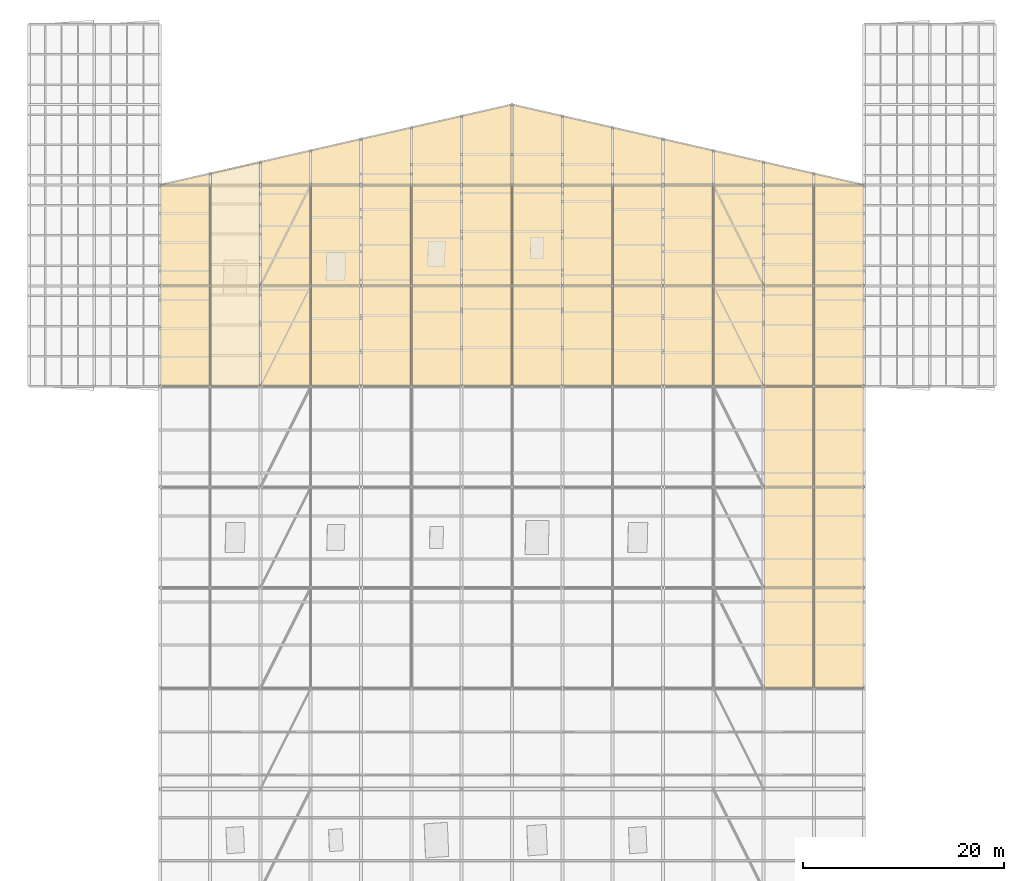
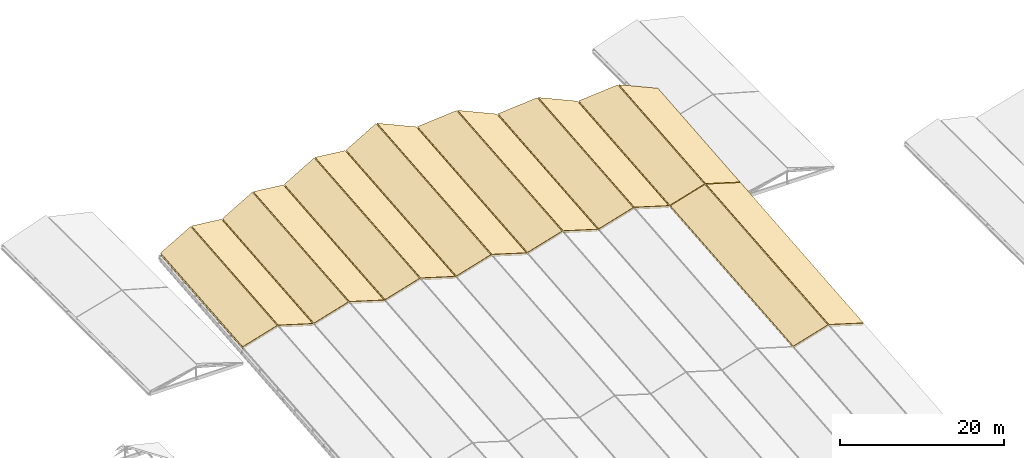
# One storey, part 90 of 90: 32 coverings.
"""IFC4 building model written with IfcOpenShell, lengths in metres."""

from ifc_helpers import new_model, si_unit, direction, frame, origin, place, context, subcontext, project, spatial, polyline, outline, extrude, material, layer, layer_set, type_object, element, save


model = new_model("IFC4")

# Units and contexts
model_context = context("Model", 3, precision=1e-05, world=origin(), true_north=direction((0.0, 1.0)))
body_context = subcontext(model_context, "Body", "Model", "MODEL_VIEW")
ifc_project = project(units=[si_unit("LENGTHUNIT", "METRE"), si_unit("AREAUNIT", "SQUARE_METRE"), si_unit("VOLUMEUNIT", "CUBIC_METRE"), si_unit("PLANEANGLEUNIT", "RADIAN"), si_unit("MASSUNIT", "GRAM", prefix="KILO"), si_unit("THERMODYNAMICTEMPERATUREUNIT", "KELVIN"), si_unit("POWERUNIT", "WATT")], contexts=[model_context])

# Site, building, storey
site_placement = place(None, origin())
site = spatial("IfcSite", under=ifc_project, at=site_placement, CompositionType="ELEMENT")
building_placement = place(site_placement, origin())
building = spatial("IfcBuilding", under=site, at=building_placement, Name="Korenveer Ferry Terminal", CompositionType="ELEMENT")
storey_placement = place(building_placement, frame((0.0, 0.0, 22.199951171875)))
storey = spatial("IfcBuildingStorey", under=building, at=storey_placement, Name="RF", CompositionType="ELEMENT", Elevation=22.199951171875)

# Coverings
ifc_material_1 = material(Name="European larch glulam timber GL28h", Category="wood")
ifc_layer_1 = layer(ifc_material_1, 0.044921875)
ifc_layer_set_1 = layer_set([ifc_layer_1], Name="European larch glulam timber GL28h")
covering_type_1 = type_object("IfcCoveringType", Name="INT-COV-LARCH", PredefinedType="CEILING", material=ifc_layer_set_1)
covering_1_placement = place(storey_placement, frame((53.080078125, 80.050048828125, -5.474853515625), z_axis=(-0.28794962315, -0.086595270815, 0.953722325208), x_axis=(0.957318450817, -1.192698e-06, 0.289035263807)))
element("IfcCovering", 1, at=covering_1_placement, inside=storey, type_object=covering_type_1, Name="Larch glulam acoustic roof soffit 5", PredefinedType="CEILING", context=body_context, shape_type="SweptSolid", body=[
    extrude(outline(polyline([(0.0, 0.0), (5.055604741914166, -2.7755575615628914e-17), (5.608670035582831, 21.15393275953872), (0.5239937300515977, 20.04354841694615), (0.0, 0.0)])), origin(), (0.0, 0.0, -1.0), 0.044921875),
])
covering_2_placement = place(storey_placement, frame((58.080078125, 80.050048828125, -4.013671875), z_axis=(0.287967336383, -0.08659456034, 0.953717041525), x_axis=(0.957313128083, 2.793334e-06, -0.289052892722)))
element("IfcCovering", 2, at=covering_2_placement, inside=storey, type_object=covering_type_1, Name="Larch glulam acoustic roof soffit 6", PredefinedType="CEILING", context=body_context, shape_type="SweptSolid", body=[
    extrude(outline(polyline([(0.0, 0.0), (5.055604739763381, -1.3877787807814457e-17), (4.472621145851938, 22.301043501471415), (-0.5540531668073643, 21.19069963696399), (0.0, 0.0)])), origin(), (0.0, 0.0, -1.0), 0.044921875),
])
covering_3_placement = place(storey_placement, frame((63.080078125, 80.050048828125, -5.474853515625), z_axis=(-0.287969134829, -0.086598908662, 0.953716103672), x_axis=(0.957312554238, -2.966045e-06, 0.289054793232)))
element("IfcCovering", 3, at=covering_3_placement, inside=storey, type_object=covering_type_1, Name="Larch glulam acoustic roof soffit 11", PredefinedType="CEILING", context=body_context, shape_type="SweptSolid", body=[
    extrude(outline(polyline([(0.0, 0.0), (5.055604739428362, -1.3877787807814457e-17), (5.6687183369278795, 23.448458185057188), (0.5839714618819433, 22.337810378501448), (0.0, 0.0)])), origin(), (0.0, 0.0, -1.0), 0.044921875),
])
covering_4_placement = place(storey_placement, frame((68.080078125, 80.050048828125, -4.013671875), z_axis=(0.2879692725, -0.086593677771, 0.953716537062), x_axis=(0.957312552351, 2.966432e-06, -0.28905479948)))
element("IfcCovering", 4, at=covering_4_placement, inside=storey, type_object=covering_type_1, Name="Larch glulam acoustic roof soffit 12", PredefinedType="CEILING", context=body_context, shape_type="SweptSolid", body=[
    extrude(outline(polyline([(0.0, 0.0), (5.055604739427229, -2.7755575615628914e-17), (4.412643409605002, 24.595548687130496), (-0.6140309040608316, 23.48496159877273), (0.0, 0.0)])), origin(), (0.0, 0.0, -1.0), 0.044921875),
])
covering_5_placement = place(storey_placement, frame((73.080078125, 80.050048828125, -5.474853515625), z_axis=(-0.287947778205, -0.086594112845, 0.953722987375), x_axis=(0.957319014502, -1.023166e-06, 0.289033396812)))
element("IfcCovering", 5, at=covering_5_placement, inside=storey, type_object=covering_type_1, Name="Larch glulam acoustic roof soffit 17", PredefinedType="CEILING", context=body_context, shape_type="SweptSolid", body=[
    extrude(outline(polyline([(0.0, 0.0), (5.055604742040791, 0.0), (5.728625508468993, 25.742699906937542), (0.6439492033183587, 24.63207234095464), (0.0, 0.0)])), origin(), (0.0, 0.0, -1.0), 0.044921875),
])
covering_6_placement = place(storey_placement, frame((78.080078125, 80.050048828125, -4.013671875), z_axis=(0.287945508685, -0.08659803982, 0.953723316024), x_axis=(0.957319667465, 8.26839e-07, -0.289031234099)))
element("IfcCovering", 6, at=covering_6_placement, inside=storey, type_object=covering_type_1, Name="Larch glulam acoustic roof soffit 18", PredefinedType="CEILING", context=body_context, shape_type="SweptSolid", body=[
    extrude(outline(polyline([(0.0, 0.0), (5.055604742163251, -1.3877787807814457e-17), (4.352595108662122, 26.88983088797001), (-0.6740086347683508, 25.77946678479939), (0.0, 0.0)])), origin(), (0.0, 0.0, -1.0), 0.044921875),
])
covering_7_placement = place(storey_placement, frame((83.080078125, 80.050048828125, -5.474853515625), z_axis=(-0.287949865458, -0.086593411855, 0.953722420836), x_axis=(0.95731839198, -1.210366e-06, 0.289035458682)))
element("IfcCovering", 7, at=covering_7_placement, inside=storey, type_object=covering_type_1, Name="Larch glulam acoustic roof soffit 23", PredefinedType="CEILING", context=body_context, shape_type="SweptSolid", body=[
    extrude(outline(polyline([(0.0, 0.0), (5.055604741899833, 0.0), (5.788603245143705, 28.03696186886229), (0.7039269395693889, 26.92657752653226), (0.0, 0.0)])), origin(), (0.0, 0.0, -1.0), 0.044921875),
])
covering_8_placement = place(storey_placement, frame((88.080078125, 80.050048828125, -4.013671875), z_axis=(0.287949865458, -0.086593411855, 0.953722420836), x_axis=(0.95731839198, 1.210366e-06, -0.289035458682)))
element("IfcCovering", 8, at=covering_8_placement, inside=storey, type_object=covering_type_1, Name="Larch glulam acoustic roof soffit 24", PredefinedType="CEILING", context=body_context, shape_type="SweptSolid", body=[
    extrude(outline(polyline([(0.0, 0.0), (5.055604741899833, 0.0), (4.351677802330444, 26.926577526532263), (-0.7329985032438717, 28.03696186886229), (0.0, 0.0)])), origin(), (0.0, 0.0, -1.0), 0.044921875),
])
covering_9_placement = place(storey_placement, frame((93.080078125, 80.050048828125, -5.474853515625), z_axis=(-0.287945508685, -0.08659803982, 0.953723316024), x_axis=(0.957319667465, -8.26839e-07, 0.289031234099)))
element("IfcCovering", 9, at=covering_9_placement, inside=storey, type_object=covering_type_1, Name="Larch glulam acoustic roof soffit 29", PredefinedType="CEILING", context=body_context, shape_type="SweptSolid", body=[
    extrude(outline(polyline([(0.0, 0.0), (5.055604742163251, 1.3877787807814457e-17), (5.729613376931602, 25.77946678479939), (0.7030096335011294, 26.88983088797001), (0.0, 0.0)])), origin(), (0.0, 0.0, -1.0), 0.044921875),
])
covering_10_placement = place(storey_placement, frame((98.080078125, 80.050048828125, -4.013671875), z_axis=(0.287947778205, -0.086594112845, 0.953722987375), x_axis=(0.957319014502, 1.023166e-06, -0.289033396812)))
element("IfcCovering", 10, at=covering_10_placement, inside=storey, type_object=covering_type_1, Name="Larch glulam acoustic roof soffit 30", PredefinedType="CEILING", context=body_context, shape_type="SweptSolid", body=[
    extrude(outline(polyline([(0.0, 0.0), (5.055604742040791, 0.0), (4.411655538722432, 24.632072340954643), (-0.6730207664282016, 25.742699906937542), (0.0, 0.0)])), origin(), (0.0, 0.0, -1.0), 0.044921875),
])
covering_11_placement = place(storey_placement, frame((103.080078125, 80.050048828125, -5.474853515625), z_axis=(-0.2879692725, -0.086593677771, 0.953716537062), x_axis=(0.957312552351, -2.966432e-06, 0.28905479948)))
element("IfcCovering", 11, at=covering_11_placement, inside=storey, type_object=covering_type_1, Name="Larch glulam acoustic roof soffit 35", PredefinedType="CEILING", context=body_context, shape_type="SweptSolid", body=[
    extrude(outline(polyline([(0.0, 0.0), (5.055604739427229, 2.7755575615628914e-17), (5.669635643488061, 23.48496159877273), (0.6429613298222283, 24.595548687130496), (0.0, 0.0)])), origin(), (0.0, 0.0, -1.0), 0.044921875),
])
covering_12_placement = place(storey_placement, frame((108.080078125, 80.050048828125, -4.013671875), z_axis=(0.287969134829, -0.086598908662, 0.953716103672), x_axis=(0.957312554238, 2.966045e-06, -0.289054793232)))
element("IfcCovering", 12, at=covering_12_placement, inside=storey, type_object=covering_type_1, Name="Larch glulam acoustic roof soffit 36", PredefinedType="CEILING", context=body_context, shape_type="SweptSolid", body=[
    extrude(outline(polyline([(0.0, 0.0), (5.055604739428362, 1.3877787807814457e-17), (4.4716332775464185, 22.33781037850145), (-0.6131135974995175, 23.44845818505719), (0.0, 0.0)])), origin(), (0.0, 0.0, -1.0), 0.044921875),
])
covering_13_placement = place(storey_placement, frame((113.080078125, 50.050048828125, -8.198974609375), z_axis=(-0.287980534707, -0.086594992647, 0.953713017044), x_axis=(0.957309054357, 0.0, 0.28906638415)))
element("IfcCovering", 13, at=covering_13_placement, inside=storey, type_object=covering_type_1, Name="Larch glulam acoustic roof soffit 39", PredefinedType="CEILING", context=body_context, shape_type="SweptSolid", body=[
    extrude(outline(polyline([(0.0, 0.0), (5.0556753098390566, 0.0), (5.840445376182921, 30.01264188130848), (0.7847700663438637, 30.01264188130848), (0.0, 0.0)])), origin(), (0.0, 0.0, -1.0), 0.044921875),
])
covering_14_placement = place(storey_placement, frame((118.080078125, 50.050048828125, -6.737548828125), z_axis=(0.287980534707, -0.086594992647, 0.953713017044), x_axis=(0.957309054357, 0.0, -0.28906638415)))
element("IfcCovering", 14, at=covering_14_placement, inside=storey, type_object=covering_type_1, Name="Larch glulam acoustic roof soffit 40", PredefinedType="CEILING", context=body_context, shape_type="SweptSolid", body=[
    extrude(outline(polyline([(0.0, 0.0), (5.0556753098390566, 0.0), (4.270905243495193, 30.01264188130848), (-0.7847700663438637, 30.01264188130848), (0.0, 0.0)])), origin(), (0.0, 0.0, -1.0), 0.044921875),
])
covering_15_placement = place(storey_placement, frame((113.080078125, 80.050048828125, -5.474853515625), z_axis=(-0.287967336383, -0.08659456034, 0.953717041525), x_axis=(0.957313128083, -2.793334e-06, 0.289052892722)))
element("IfcCovering", 15, at=covering_15_placement, inside=storey, type_object=covering_type_1, Name="Larch glulam acoustic roof soffit 41", PredefinedType="CEILING", context=body_context, shape_type="SweptSolid", body=[
    extrude(outline(polyline([(0.0, 0.0), (5.055604739763381, 1.3877787807814457e-17), (5.609657906570745, 21.19069963696399), (0.5829835939114439, 22.301043501471415), (0.0, 0.0)])), origin(), (0.0, 0.0, -1.0), 0.044921875),
])
covering_16_placement = place(storey_placement, frame((118.080078125, 80.050048828125, -4.013671875), z_axis=(0.28794962315, -0.086595270815, 0.953722325208), x_axis=(0.957318450817, 1.192698e-06, -0.289035263807)))
element("IfcCovering", 16, at=covering_16_placement, inside=storey, type_object=covering_type_1, Name="Larch glulam acoustic roof soffit 42", PredefinedType="CEILING", context=body_context, shape_type="SweptSolid", body=[
    extrude(outline(polyline([(0.0, 0.0), (5.055604741914166, 2.7755575615628914e-17), (4.5316110118625685, 20.04354841694615), (-0.5530652936686649, 21.153932759538723), (0.0, 0.0)])), origin(), (0.0, 0.0, -1.0), 0.044921875),
])
ifc_material_2 = material(Name="Patinated standing-seam copper and zinc roofing", Category="aluminium")
ifc_layer_2 = layer(ifc_material_2, 0.0400390625)
ifc_layer_set_2 = layer_set([ifc_layer_2], Name="Patinated standing-seam copper and zinc roofing")
covering_type_2 = type_object("IfcCoveringType", Name="INT-COV-ROOF", PredefinedType="ROOFING", material=ifc_layer_set_2)
covering_17_placement = place(storey_placement, frame((53.080078125, 80.050048828125, -5.183349609375), z_axis=(-0.287993742716, -0.086594071126, 0.953709112362), x_axis=(0.957305087951, -1.192648e-06, 0.289079519479)))
element("IfcCovering", 17, at=covering_17_placement, inside=storey, type_object=covering_type_2, Name="Standing-seam roof covering 5", PredefinedType="ROOFING", context=body_context, shape_type="SweptSolid", body=[
    extrude(outline(polyline([(0.0, 0.0), (5.055675309359547, 0.0), (5.608825290587145, 21.15393054522999), (0.5240739660573712, 20.04354631919459), (0.0, 0.0)])), origin(), (0.0, 0.0, -1.0), 0.0400390625),
])
covering_18_placement = place(storey_placement, frame((58.080078125, 80.050048828125, -3.721923828125), z_axis=(0.287989825201, -0.086599278704, 0.953709822487), x_axis=(0.957306227117, 8.50172e-07, -0.289075747032)))
element("IfcCovering", 18, at=covering_18_placement, inside=storey, type_object=covering_type_2, Name="Standing-seam roof covering 6", PredefinedType="ROOFING", context=body_context, shape_type="SweptSolid", body=[
    extrude(outline(polyline([(0.0, 0.0), (5.055675309595425, -2.7755575615628914e-17), (4.472531869569035, 22.301061406232034), (-0.5541380005977825, 21.19069741929465), (0.0, 0.0)])), origin(), (0.0, 0.0, -1.0), 0.0400390625),
])
covering_19_placement = place(storey_placement, frame((63.080078125, 80.050048828125, -5.183349609375), z_axis=(-0.287969134829, -0.086598908662, 0.953716103672), x_axis=(0.957312454028, 1.022339e-06, 0.289055125126)))
element("IfcCovering", 19, at=covering_19_placement, inside=storey, type_object=covering_type_2, Name="Standing-seam roof covering 11", PredefinedType="ROOFING", context=body_context, shape_type="SweptSolid", body=[
    extrude(outline(polyline([(0.0, 0.0), (5.055675309486755, 1.3877787807814457e-17), (5.668812210989073, 23.448435490589546), (0.5841314596893544, 22.337828280163823), (0.0, 0.0)])), origin(), (0.0, 0.0, -1.0), 0.0400390625),
])
covering_20_placement = place(storey_placement, frame((68.080078125, 80.050048828125, -3.721923828125), z_axis=(0.2879692725, -0.086593677771, 0.953716537062), x_axis=(0.957312452154, -1.021713e-06, -0.289055131334)))
element("IfcCovering", 20, at=covering_20_placement, inside=storey, type_object=covering_type_2, Name="Standing-seam roof covering 12", PredefinedType="ROOFING", context=body_context, shape_type="SweptSolid", body=[
    extrude(outline(polyline([(0.0, 0.0), (5.055675309487143, 0.0), (4.412544949121775, 24.595566351546307), (-0.6140543485215637, 23.48493890200348), (0.0, 0.0)])), origin(), (0.0, 0.0, -1.0), 0.0400390625),
])
covering_21_placement = place(storey_placement, frame((73.080078125, 80.050048828125, -5.183349609375), z_axis=(-0.287969236205, -0.086598131064, 0.953716143669), x_axis=(0.957312429411, 1.014927e-06, 0.289055206655)))
element("IfcCovering", 21, at=covering_21_placement, inside=storey, type_object=covering_type_2, Name="Standing-seam roof covering 17", PredefinedType="ROOFING", context=body_context, shape_type="SweptSolid", body=[
    extrude(outline(polyline([(0.0, 0.0), (5.055675309491839, 0.0), (5.728799131526367, 25.742697212431974), (0.6441183802419287, 24.632090001913152), (0.0, 0.0)])), origin(), (0.0, 0.0, -1.0), 0.0400390625),
])
covering_22_placement = place(storey_placement, frame((78.080078125, 80.050048828125, -3.721923828125), z_axis=(0.287989628411, -0.086596840109, 0.953710103339), x_axis=(0.957306304751, 8.26804e-07, -0.289075489939)))
element("IfcCovering", 22, at=covering_22_placement, inside=storey, type_object=covering_type_2, Name="Standing-seam roof covering 18", PredefinedType="ROOFING", context=body_context, shape_type="SweptSolid", body=[
    extrude(outline(polyline([(0.0, 0.0), (5.0556753096086195, 1.3877787807814457e-17), (4.352558028474142, 26.88982807340707), (-0.6741118416531612, 25.77946408623073), (0.0, 0.0)])), origin(), (0.0, 0.0, -1.0), 0.0400390625),
])
covering_23_placement = place(storey_placement, frame((83.080078125, 80.050048828125, -5.183349609375), z_axis=(-0.28797137378, -0.086597044523, 0.953715596896), x_axis=(0.957311794617, 8.24022e-07, 0.289057308999)))
element("IfcCovering", 23, at=covering_23_placement, inside=storey, type_object=covering_type_2, Name="Standing-seam roof covering 23", PredefinedType="ROOFING", context=body_context, shape_type="SweptSolid", body=[
    extrude(outline(polyline([(0.0, 0.0), (5.055675309610169, 0.0), (5.788786051933871, 28.036958934306064), (0.7041053010051046, 26.926594947149496), (0.0, 0.0)])), origin(), (0.0, 0.0, -1.0), 0.0400390625),
])
covering_24_placement = place(storey_placement, frame((88.080078125, 80.050048828125, -3.721923828125), z_axis=(0.28797137378, -0.086597044523, 0.953715596896), x_axis=(0.957311794617, -8.24022e-07, -0.289057308999)))
element("IfcCovering", 24, at=covering_24_placement, inside=storey, type_object=covering_type_2, Name="Standing-seam roof covering 24", PredefinedType="ROOFING", context=body_context, shape_type="SweptSolid", body=[
    extrude(outline(polyline([(0.0, 0.0), (5.055675309610169, 0.0), (4.351570008605065, 26.926594947149496), (-0.7331107423237022, 28.036958934306064), (0.0, 0.0)])), origin(), (0.0, 0.0, -1.0), 0.0400390625),
])
covering_25_placement = place(storey_placement, frame((93.080078125, 80.050048828125, -5.183349609375), z_axis=(-0.287989628411, -0.086596840109, 0.953710103339), x_axis=(0.957306304751, -8.26804e-07, 0.289075489939)))
element("IfcCovering", 25, at=covering_25_placement, inside=storey, type_object=covering_type_2, Name="Standing-seam roof covering 29", PredefinedType="ROOFING", context=body_context, shape_type="SweptSolid", body=[
    extrude(outline(polyline([(0.0, 0.0), (5.0556753096086195, -1.3877787807814457e-17), (5.729787151261781, 25.77946408623073), (0.7031172811344775, 26.889828073407074), (0.0, 0.0)])), origin(), (0.0, 0.0, -1.0), 0.0400390625),
])
covering_26_placement = place(storey_placement, frame((98.080078125, 80.050048828125, -3.721923828125), z_axis=(0.287969236205, -0.086598131064, 0.953716143669), x_axis=(0.957312429411, -1.014927e-06, -0.289055206655)))
element("IfcCovering", 26, at=covering_26_placement, inside=storey, type_object=covering_type_2, Name="Standing-seam roof covering 30", PredefinedType="ROOFING", context=body_context, shape_type="SweptSolid", body=[
    extrude(outline(polyline([(0.0, 0.0), (5.055675309491839, 0.0), (4.411556929249911, 24.632090001913152), (-0.6731238220345284, 25.742697212431974), (0.0, 0.0)])), origin(), (0.0, 0.0, -1.0), 0.0400390625),
])
covering_27_placement = place(storey_placement, frame((103.080078125, 80.050048828125, -5.183349609375), z_axis=(-0.2879692725, -0.086593677771, 0.953716537062), x_axis=(0.957312452154, 1.021713e-06, 0.289055131334)))
element("IfcCovering", 27, at=covering_27_placement, inside=storey, type_object=covering_type_2, Name="Standing-seam roof covering 35", PredefinedType="ROOFING", context=body_context, shape_type="SweptSolid", body=[
    extrude(outline(polyline([(0.0, 0.0), (5.055675309487143, 0.0), (5.669729658008707, 23.484938902003485), (0.6431303603653691, 24.595566351546307), (0.0, 0.0)])), origin(), (0.0, 0.0, -1.0), 0.0400390625),
])
covering_28_placement = place(storey_placement, frame((108.080078125, 80.050048828125, -3.721923828125), z_axis=(0.287969134829, -0.086598908662, 0.953716103672), x_axis=(0.957312454028, -1.022339e-06, -0.289055125126)))
element("IfcCovering", 28, at=covering_28_placement, inside=storey, type_object=covering_type_2, Name="Standing-seam roof covering 36", PredefinedType="ROOFING", context=body_context, shape_type="SweptSolid", body=[
    extrude(outline(polyline([(0.0, 0.0), (5.055675309486755, -1.3877787807814457e-17), (4.471543849797401, 22.337828280163823), (-0.6131369015023181, 23.448435490589542), (0.0, 0.0)])), origin(), (0.0, 0.0, -1.0), 0.0400390625),
])
covering_29_placement = place(storey_placement, frame((113.080078125, 50.050048828125, -7.9072265625), z_axis=(-0.287980534707, -0.086594992647, 0.953713017044), x_axis=(0.957309054357, 0.0, 0.28906638415)))
element("IfcCovering", 29, at=covering_29_placement, inside=storey, type_object=covering_type_2, Name="Standing-seam roof covering 39", PredefinedType="ROOFING", context=body_context, shape_type="SweptSolid", body=[
    extrude(outline(polyline([(0.0, 0.0), (5.0556753098390566, 0.0), (5.840445376182921, 30.01264188130848), (0.7847700663438637, 30.01264188130848), (0.0, 0.0)])), origin(), (0.0, 0.0, -1.0), 0.0400390625),
])
covering_30_placement = place(storey_placement, frame((118.080078125, 50.050048828125, -6.44580078125), z_axis=(0.287980534707, -0.086594992647, 0.953713017044), x_axis=(0.957309054357, 0.0, -0.28906638415)))
element("IfcCovering", 30, at=covering_30_placement, inside=storey, type_object=covering_type_2, Name="Standing-seam roof covering 40", PredefinedType="ROOFING", context=body_context, shape_type="SweptSolid", body=[
    extrude(outline(polyline([(0.0, 0.0), (5.0556753098390566, 0.0), (4.270905243495193, 30.01264188130848), (-0.7847700663438637, 30.01264188130848), (0.0, 0.0)])), origin(), (0.0, 0.0, -1.0), 0.0400390625),
])
covering_31_placement = place(storey_placement, frame((113.080078125, 80.050048828125, -5.183349609375), z_axis=(-0.287989825201, -0.086599278704, 0.953709822487), x_axis=(0.957306227117, -8.50172e-07, 0.289075747032)))
element("IfcCovering", 31, at=covering_31_placement, inside=storey, type_object=covering_type_2, Name="Standing-seam roof covering 41", PredefinedType="ROOFING", context=body_context, shape_type="SweptSolid", body=[
    extrude(outline(polyline([(0.0, 0.0), (5.055675309595425, 2.7755575615628914e-17), (5.609813310193207, 21.19069741929465), (0.5831434400263901, 22.301061406232034), (0.0, 0.0)])), origin(), (0.0, 0.0, -1.0), 0.0400390625),
])
covering_32_placement = place(storey_placement, frame((118.080078125, 80.050048828125, -3.721923828125), z_axis=(0.287993742716, -0.086594071126, 0.953709112362), x_axis=(0.957305087951, 1.192648e-06, -0.289079519479)))
element("IfcCovering", 32, at=covering_32_placement, inside=storey, type_object=covering_type_2, Name="Standing-seam roof covering 42", PredefinedType="ROOFING", context=body_context, shape_type="SweptSolid", body=[
    extrude(outline(polyline([(0.0, 0.0), (5.055675309359547, 0.0), (4.531601343302175, 20.04354631919459), (-0.5531499812275988, 21.15393054522999), (0.0, 0.0)])), origin(), (0.0, 0.0, -1.0), 0.0400390625),
])

save(model, "model.ifc")
